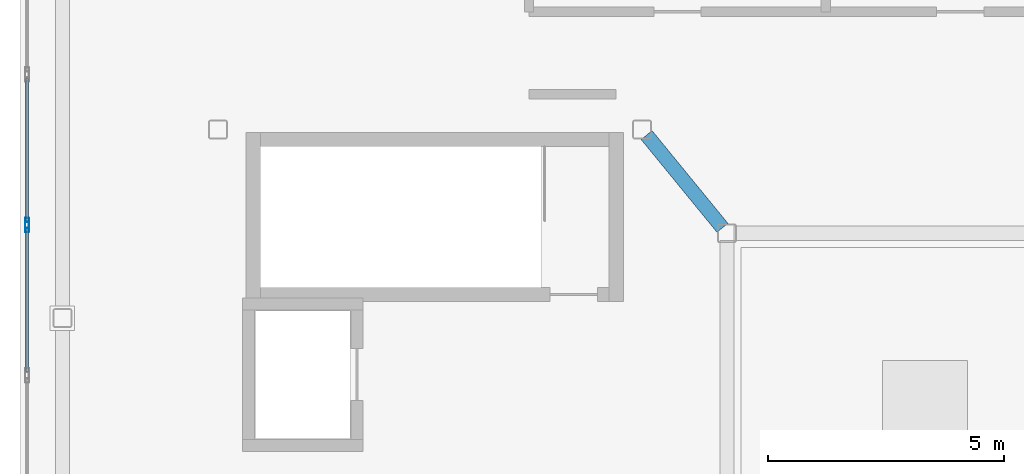
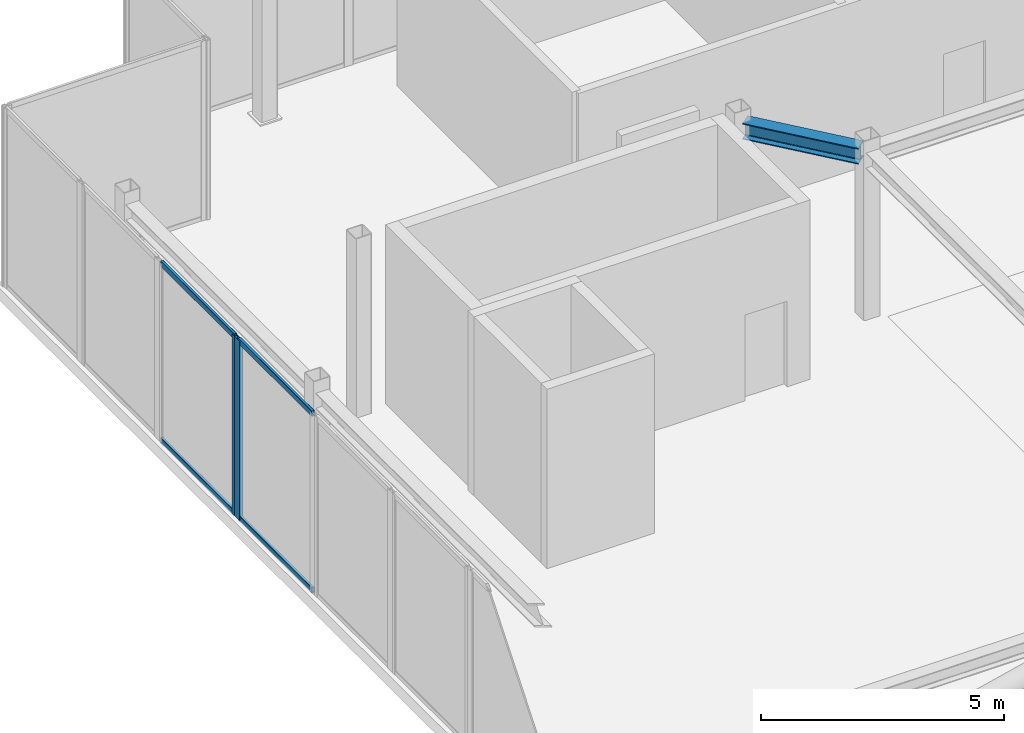
# One storey, part 6 of 18: 6 members, 1 beam, 2 elements without a shape of their own.
"""IFC4 building model written with IfcOpenShell, lengths in metres."""

from ifc_helpers import new_model, si_unit, direction, frame, origin, origin_2d, place, context, subcontext, project, spatial, hollow_rectangle, i_section, extrude, material, layer, layer_set, material_profile, profile_set, type_object, element, aggregate, save


model = new_model("IFC4")

# Units and contexts
model_context = context("Model", 3, precision=1e-05, world=origin(), true_north=direction((0.0, 1.0)))
body_context = subcontext(model_context, "Body", "Model", "MODEL_VIEW")
ifc_project = project(units=[si_unit("LENGTHUNIT", "METRE"), si_unit("AREAUNIT", "SQUARE_METRE"), si_unit("VOLUMEUNIT", "CUBIC_METRE"), si_unit("PLANEANGLEUNIT", "RADIAN"), si_unit("MASSUNIT", "GRAM", prefix="KILO")], contexts=[model_context])

# Site, building, storey
site_placement = place(None, origin())
site = spatial("IfcSite", under=ifc_project, at=site_placement, CompositionType="ELEMENT")
building_placement = place(site_placement, origin())
building = spatial("IfcBuilding", under=site, at=building_placement, Name="Tarnavaz Court Tower", CompositionType="ELEMENT")
storey_placement = place(building_placement, frame((0.0, 0.0, 281.550048828125)))
storey = spatial("IfcBuildingStorey", under=building, at=storey_placement, Name="C01", CompositionType="ELEMENT", Elevation=281.550048828125)

# Beam
ifc_material_1 = material(Name="Steel S355", Category="steel")
ifc_material_profile_1 = material_profile(ifc_material_1, i_section(OverallWidth=0.300048828125, OverallDepth=0.39990234375, WebThickness=0.013427734375, FlangeThickness=0.02392578125, FilletRadius=0.027099609375, at=origin_2d()), Name="HEB 400")
ifc_profile_set_1 = profile_set([ifc_material_profile_1], Name="Steel S355")
beam_type = type_object("IfcBeamType", Name="BM-G-HEB400", PredefinedType="USERDEFINED", material=ifc_profile_set_1)
beam_placement = place(storey_placement, frame((-9.5048828125, 9.8837890625, 4.0), z_axis=(0.633206414362, -0.773982969329, 0.0), x_axis=(0.773982969329, 0.633206414362, 0.0)))
element("IfcBeam", 1, at=beam_placement, inside=storey, type_object=beam_type, Name="C01 Beam CRG-CW-NI-IW-NW", ObjectType="GIRDER", PredefinedType="USERDEFINED", context=body_context, shape_type="SweptSolid", body=[
    extrude(i_section(OverallWidth=0.300048828125, OverallDepth=0.39990234375, WebThickness=0.013427734375, FlangeThickness=0.02392578125, FilletRadius=0.027099609375, at=origin_2d()), origin(), (0.0, 0.0, 1.0), 2.54248046875),
])

# Curtain wall, member
ifc_material_2 = material(Name="Anodised Aluminium 6063-T6 and Solar Low-E Glazing", Category="aluminium")
ifc_layer = layer(ifc_material_2, 0.2099609375)
ifc_layer_set = layer_set([ifc_layer], Name="Anodised Aluminium 6063-T6 and Solar Low-E Glazing")
curtain_wall_type = type_object("IfcCurtainWallType", Name="CW-SYS-06", PredefinedType="NOTDEFINED", material=ifc_layer_set)
curtain_wall_1_placement = place(storey_placement, origin())
curtain_wall_1 = element("IfcCurtainWall", 2, at=curtain_wall_1_placement, inside=storey, type_object=curtain_wall_type, Name="C01 Slanted Crown Terracotta Curtain Wall 11", PredefinedType="NOTDEFINED")
ifc_material_3 = material(Name="Anodised Aluminium 6063-T6", Category="aluminium")
ifc_material_profile_2 = material_profile(ifc_material_3, hollow_rectangle(XDim=0.0849609375, YDim=0.219970703125, WallThickness=0.006103515625, InnerFilletRadius=0.006103515625, OuterFilletRadius=0.011962890625, at=origin_2d()), Name="ALU RHS 220X85X6")
ifc_profile_set_2 = profile_set([ifc_material_profile_2], Name="Anodised Aluminium 6063-T6")
member_type_1 = type_object("IfcMemberType", Name="CW-MUL-220", PredefinedType="MULLION", material=ifc_profile_set_2)
member_1_placement = place(storey_placement, frame((-22.64990234375, 7.934814453125, 0.0), z_axis=(0.0, 0.0, 1.0), x_axis=(-1.0, 0.0, 0.0)))
member_1 = element("IfcMember", 3, at=member_1_placement, type_object=member_type_1, Name="CW mullion 2", PredefinedType="MULLION", context=body_context, shape_type="SweptSolid", body=[
    extrude(hollow_rectangle(XDim=0.0849609375, YDim=0.219970703125, WallThickness=0.006103515625, InnerFilletRadius=0.006103515625, OuterFilletRadius=0.011962890625, at=origin_2d()), origin(), (0.0, 0.0, 1.0), 4.5),
])

curtain_wall_2_placement = place(storey_placement, origin())
curtain_wall_2 = element("IfcCurtainWall", 4, at=curtain_wall_2_placement, inside=storey, type_object=curtain_wall_type, Name="C01 Slanted Crown Terracotta Curtain Wall 12", PredefinedType="NOTDEFINED")
member_2_placement = place(storey_placement, frame((-22.64990234375, 8.019775390625, 0.0), z_axis=(0.0, 0.0, 1.0), x_axis=(-1.0, 0.0, 0.0)))
member_2 = element("IfcMember", 5, at=member_2_placement, type_object=member_type_1, Name="CW mullion 1", PredefinedType="MULLION", context=body_context, shape_type="SweptSolid", body=[
    extrude(hollow_rectangle(XDim=0.0849609375, YDim=0.219970703125, WallThickness=0.006103515625, InnerFilletRadius=0.006103515625, OuterFilletRadius=0.011962890625, at=origin_2d()), origin(), (0.0, 0.0, 1.0), 4.5),
])

# Member
ifc_material_profile_3 = material_profile(ifc_material_3, hollow_rectangle(XDim=0.06494140625, YDim=0.139892578125, WallThickness=0.00390625, InnerFilletRadius=0.00390625, OuterFilletRadius=0.008056640625, at=origin_2d()), Name="ALU RHS 140X65X4")
ifc_profile_set_3 = profile_set([ifc_material_profile_3], Name="Anodised Aluminium 6063-T6")
member_type_2 = type_object("IfcMemberType", Name="CW-TRN-140", PredefinedType="USERDEFINED", material=ifc_profile_set_3)
member_3_placement = place(storey_placement, frame((-22.64990234375, 4.871337890625, 0.032470703125), z_axis=(0.0, 1.0, 0.0), x_axis=(-1.0, 0.0, 0.0)))
member_3 = element("IfcMember", 6, at=member_3_placement, type_object=member_type_2, Name="CW transom 1.1", ObjectType="TRANSOM", PredefinedType="USERDEFINED", context=body_context, shape_type="SweptSolid", body=[
    extrude(hollow_rectangle(XDim=0.06494140625, YDim=0.139892578125, WallThickness=0.00390625, InnerFilletRadius=0.00390625, OuterFilletRadius=0.008056640625, at=origin_2d()), origin(), (0.0, 0.0, 1.0), 3.02099609375),
])

member_4_placement = place(storey_placement, frame((-22.64990234375, 4.871337890625, 4.467529296875), z_axis=(0.0, 1.0, 0.0), x_axis=(-1.0, 0.0, 0.0)))
member_4 = element("IfcMember", 7, at=member_4_placement, type_object=member_type_2, Name="CW transom 1.2", ObjectType="TRANSOM", PredefinedType="USERDEFINED", context=body_context, shape_type="SweptSolid", body=[
    extrude(hollow_rectangle(XDim=0.06494140625, YDim=0.139892578125, WallThickness=0.00390625, InnerFilletRadius=0.00390625, OuterFilletRadius=0.008056640625, at=origin_2d()), origin(), (0.0, 0.0, 1.0), 3.02099609375),
])

aggregate(curtain_wall_1, [member_1, member_3, member_4])

member_5_placement = place(storey_placement, frame((-22.64990234375, 8.062255859375, 0.032470703125), z_axis=(0.0, 1.0, 0.0), x_axis=(-1.0, 0.0, 0.0)))
member_5 = element("IfcMember", 8, at=member_5_placement, type_object=member_type_2, Name="CW transom 1.1", ObjectType="TRANSOM", PredefinedType="USERDEFINED", context=body_context, shape_type="SweptSolid", body=[
    extrude(hollow_rectangle(XDim=0.06494140625, YDim=0.139892578125, WallThickness=0.00390625, InnerFilletRadius=0.00390625, OuterFilletRadius=0.008056640625, at=origin_2d()), origin(), (0.0, 0.0, 1.0), 3.02099609375),
])

member_6_placement = place(storey_placement, frame((-22.64990234375, 8.062255859375, 4.467529296875), z_axis=(0.0, 1.0, 0.0), x_axis=(-1.0, 0.0, 0.0)))
member_6 = element("IfcMember", 9, at=member_6_placement, type_object=member_type_2, Name="CW transom 1.2", ObjectType="TRANSOM", PredefinedType="USERDEFINED", context=body_context, shape_type="SweptSolid", body=[
    extrude(hollow_rectangle(XDim=0.06494140625, YDim=0.139892578125, WallThickness=0.00390625, InnerFilletRadius=0.00390625, OuterFilletRadius=0.008056640625, at=origin_2d()), origin(), (0.0, 0.0, 1.0), 3.02099609375),
])

aggregate(curtain_wall_2, [member_2, member_5, member_6])

save(model, "model.ifc")
